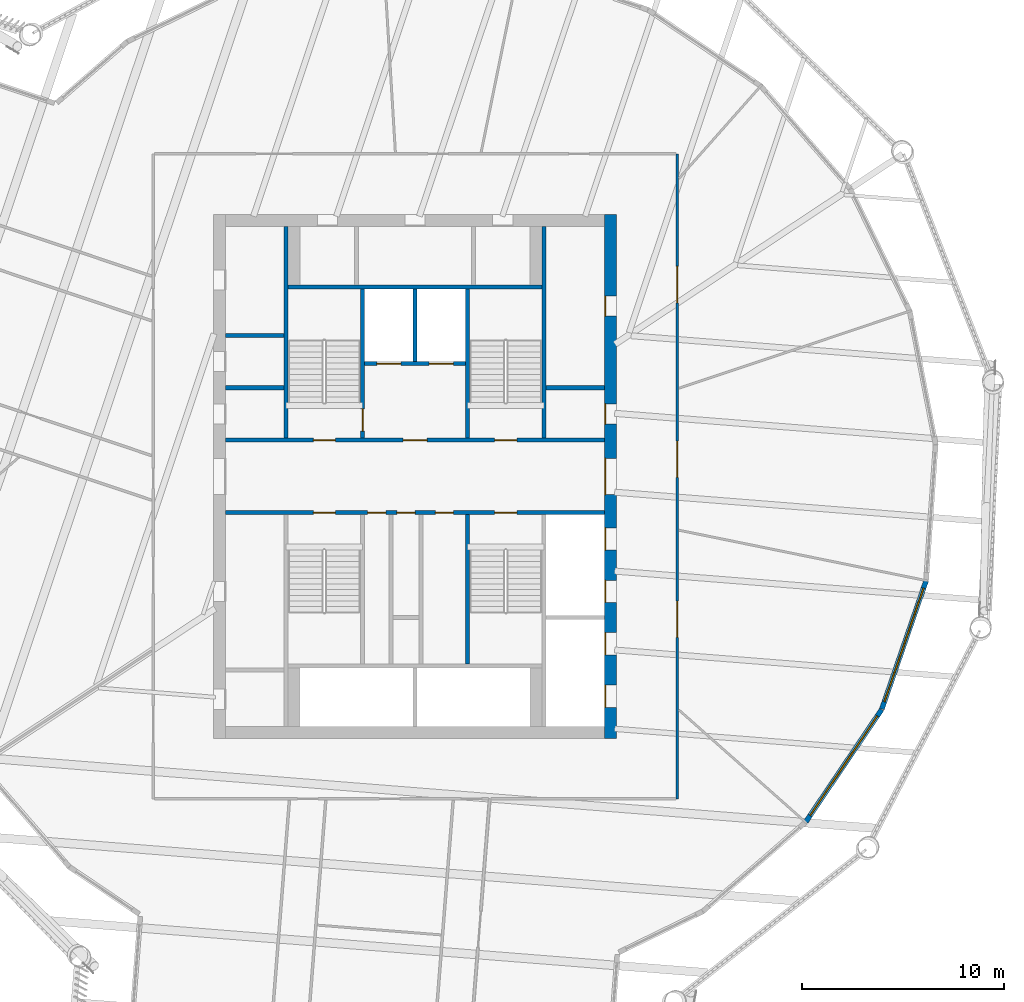
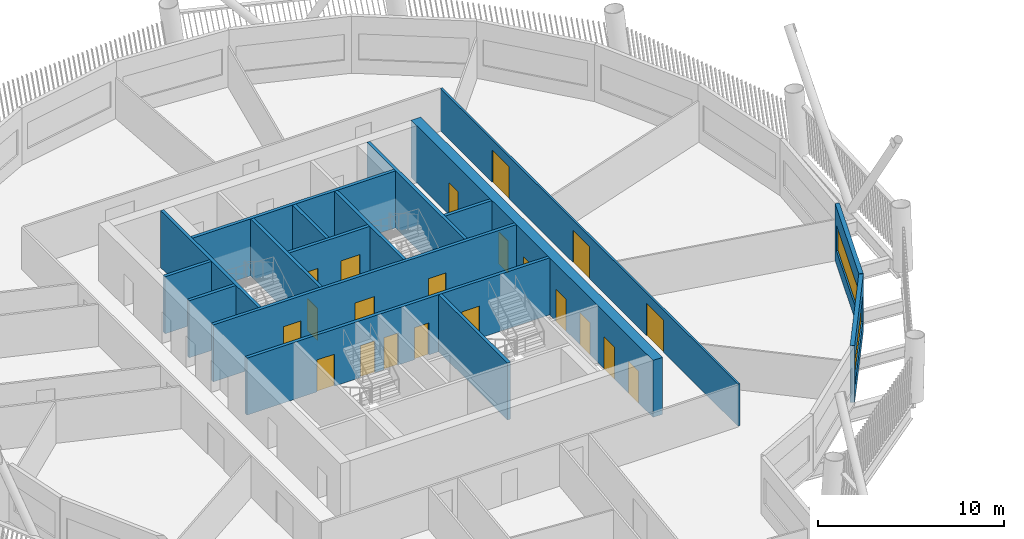
# One storey, part 5 of 21: 21 doors, 17 walls, 2 windows, 23 openings.
"""IFC4 building model written with IfcOpenShell, lengths in metres."""

import ifcopenshell
import ifcopenshell.guid

model = None  # the IFC model being written
_history = None  # IfcOwnerHistory: only IFC2X3 demands one
_inside = {}  # id of a spatial element -> (the spatial element, [elements in it])
_under = {}  # id of a project, library or spatial element -> (it, [spatial elements below it])
_declared = {}  # id of a project -> (the project, [libraries it declares])
_typed = {}  # id of a type object -> (the type object, [elements of that type])
_made_of = {}  # id of a material, layer set ... -> (it, [elements and type objects made of it])


def new_model(schema):
    """Start an empty IFC model of exactly this schema.

    Asked for "IFC4X3", IfcOpenShell would pick the latest addendum, in which some entities
    have other attributes; the version numbers below select the first issue.
    IFC2X3 requires an IfcOwnerHistory on every rooted entity: one is made here for all.
    """
    global model, _history
    if schema == "IFC4X3":
        model = ifcopenshell.file(schema_version=(4, 3, 0, 0))
    else:
        model = ifcopenshell.file(schema=schema)
    _inside.clear()
    _under.clear()
    _declared.clear()
    _typed.clear()
    _made_of.clear()
    _history = None
    if model.schema == "IFC2X3":
        org = make("IfcOrganization", Name="unknown")
        user = make(
            "IfcPersonAndOrganization",
            ThePerson=make("IfcPerson", FamilyName="unknown"),
            TheOrganization=org,
        )
        app = make(
            "IfcApplication",
            ApplicationDeveloper=org,
            Version="unknown",
            ApplicationFullName="unknown",
            ApplicationIdentifier="unknown",
        )
        _history = make(
            "IfcOwnerHistory",
            OwningUser=user,
            OwningApplication=app,
            ChangeAction="ADDED",
            CreationDate=0,
        )
    return model


def make(cls, **values):
    """One entity of the class cls with the attributes given. An attribute that is None is left unset."""
    return model.create_entity(
        cls, **{name: value for name, value in values.items() if value is not None}
    )


def rooted(cls, **values):
    """An entity with a GlobalId (a new one), such as an element, a storey or a relation."""
    return make(cls, GlobalId=ifcopenshell.guid.new(), OwnerHistory=_history, **values)


def si_unit(unit_type, name, prefix=None):
    """IfcSIUnit, for example si_unit("LENGTHUNIT", "METRE", prefix="MILLI")."""
    return make("IfcSIUnit", UnitType=unit_type, Prefix=prefix, Name=name)


def assignment(units):
    """IfcUnitAssignment: the units of a project."""
    return None if units is None else make("IfcUnitAssignment", Units=units)


def point(xyz):
    """IfcCartesianPoint."""
    return None if xyz is None else make("IfcCartesianPoint", Coordinates=xyz)


def direction(xyz):
    """IfcDirection."""
    return None if xyz is None else make("IfcDirection", DirectionRatios=xyz)


def frame(location, z_axis=None, x_axis=None):
    """IfcAxis2Placement3D, a coordinate frame: its origin and axes. An axis left out is left unset."""
    return make(
        "IfcAxis2Placement3D",
        Location=point(location),
        Axis=direction(z_axis),
        RefDirection=direction(x_axis),
    )


def frame_2d(location, x_axis=None):
    """IfcAxis2Placement2D, a coordinate frame in the plane: its origin and x axis."""
    return make(
        "IfcAxis2Placement2D", Location=point(location), RefDirection=direction(x_axis)
    )


def origin():
    """The frame at (0, 0, 0) with its axes left unset."""
    return frame((0.0, 0.0, 0.0))


def place(relative_to, where):
    """IfcLocalPlacement: puts the frame where relative to a parent placement (None: the world)."""
    return make(
        "IfcLocalPlacement", PlacementRelTo=relative_to, RelativePlacement=where
    )


def context(
    kind, dimensions, precision=None, world=None, true_north=None, identifier=None
):
    """IfcGeometricRepresentationContext, for example the 3D "Model" context."""
    return make(
        "IfcGeometricRepresentationContext",
        ContextIdentifier=identifier,
        ContextType=kind,
        CoordinateSpaceDimension=dimensions,
        Precision=precision,
        WorldCoordinateSystem=world,
        TrueNorth=true_north,
    )


def subcontext(parent, identifier, kind, view, scale=None):
    """IfcGeometricRepresentationSubContext, for example "Body" below "Model"."""
    return make(
        "IfcGeometricRepresentationSubContext",
        ContextIdentifier=identifier,
        ContextType=kind,
        ParentContext=parent,
        TargetScale=scale,
        TargetView=view,
    )


def project(units=None, contexts=None):
    """IfcProject with its units and contexts."""
    return rooted(
        "IfcProject",
        Name="project",
        RepresentationContexts=contexts,
        UnitsInContext=assignment(units),
    )


def spatial(cls, under=None, at=None, **own):
    """A site, building, storey or space (cls), placed at a placement, below another one or the project."""
    s = rooted(cls, ObjectPlacement=at, **own)
    if under is not None:
        _under.setdefault(under.id(), (under, []))[1].append(s)
    return s


def profile(cls, at=None, kind="AREA", **sizes):
    """A parametric profile (cls). Its sizes go by their IFC names, for example OverallWidth=200.0."""
    return make(cls, ProfileType=kind, Position=at, **sizes)


def rectangle(**sizes):
    """IfcRectangleProfileDef."""
    return profile("IfcRectangleProfileDef", **sizes)


def extrude(swept, where, along, depth):
    """IfcExtrudedAreaSolid: the profile swept, set in the frame where, extruded along a direction by depth."""
    return make(
        "IfcExtrudedAreaSolid",
        SweptArea=swept,
        Position=where,
        ExtrudedDirection=direction(along),
        Depth=depth,
    )


def shape(context_of_items, identifier, shape_type, items):
    """IfcShapeRepresentation: the items that make up one representation, for example the "Body"."""
    return make(
        "IfcShapeRepresentation",
        ContextOfItems=context_of_items,
        RepresentationIdentifier=identifier,
        RepresentationType=shape_type,
        Items=items,
    )


def material(Name=None, Category=None):
    """IfcMaterial."""
    return make("IfcMaterial", Name=Name, Category=Category)


def layer(
    of_material, thickness, ventilated=None, Name=None, Category=None, Priority=None
):
    """IfcMaterialLayer: one layer of a wall or slab, of a material (None: an air gap)."""
    return make(
        "IfcMaterialLayer",
        Material=of_material,
        LayerThickness=thickness,
        IsVentilated=ventilated,
        Name=Name,
        Category=Category,
        Priority=Priority,
    )


def layer_set(layers, Name=None):
    """IfcMaterialLayerSet."""
    return make("IfcMaterialLayerSet", MaterialLayers=layers, LayerSetName=Name)


def made_of(thing, what):
    """Note that an element or type object is made of a material, layer set ...; save() writes the relation."""
    if what is not None:
        _made_of.setdefault(what.id(), (what, []))[1].append(thing)
    return thing


def type_object(cls, material=None, **own):
    """A type object (cls), such as IfcWallType, which elements share."""
    return made_of(rooted(cls, **own), material)


def element(
    cls,
    number,
    at=None,
    inside=None,
    cuts=None,
    type_object=None,
    material=None,
    context=None,
    identifier="Body",
    shape_type=None,
    held_by="IfcProductDefinitionShape",
    body=None,
    shapes=None,
    **own,
):
    """One element of the class cls, such as IfcWall. Its Tag is "e" and its number.

    at: its placement. inside: the storey or other place that contains it. cuts: it is an
    opening in that element (IfcRelVoidsElement). A single representation is given by context,
    identifier, shape_type and body (its items); several are given by shapes. held_by: the class
    of the entity that holds the representations. save() writes the other relations.
    """
    e = rooted(cls, Tag="e%d" % number, ObjectPlacement=at, **own)
    if body is not None:
        shapes = [shape(context, identifier, shape_type, body)]
    if shapes is not None:
        e.Representation = make(held_by, Representations=shapes)
    if inside is not None:
        _inside.setdefault(inside.id(), (inside, []))[1].append(e)
    if cuts is not None:
        rooted(
            "IfcRelVoidsElement", RelatingBuildingElement=cuts, RelatedOpeningElement=e
        )
    if type_object is not None:
        _typed.setdefault(type_object.id(), (type_object, []))[1].append(e)
    return made_of(e, material)


def fill(opening, filler):
    """IfcRelFillsElement: the door or window that sits in an opening."""
    return rooted(
        "IfcRelFillsElement",
        RelatingOpeningElement=opening,
        RelatedBuildingElement=filler,
    )


def aggregate(whole, parts):
    """IfcRelAggregates: a whole, such as a stair, and the parts it consists of."""
    return rooted("IfcRelAggregates", RelatingObject=whole, RelatedObjects=parts)


def save(model, path):
    """Write the relations noted so far, then the file.

    IfcRelAggregates (storeys below a building ...), IfcRelContainedInSpatialStructure (elements
    in a storey), IfcRelDefinesByType, IfcRelAssociatesMaterial and IfcRelDeclares: one each for
    every whole, place, type object, material and project.
    """
    for whole, parts in _under.values():
        aggregate(whole, parts)
    for where, things in _inside.values():
        rooted(
            "IfcRelContainedInSpatialStructure",
            RelatedElements=things,
            RelatingStructure=where,
        )
    for kind, things in _typed.values():
        rooted("IfcRelDefinesByType", RelatedObjects=things, RelatingType=kind)
    for what, things in _made_of.values():
        rooted("IfcRelAssociatesMaterial", RelatedObjects=things, RelatingMaterial=what)
    for by, libraries in _declared.values():
        rooted("IfcRelDeclares", RelatingContext=by, RelatedDefinitions=libraries)
    model.write(path)


model = new_model("IFC4")

# Units and contexts
model_context = context("Model", 3, precision=1e-05, world=origin(), true_north=direction((0.0, 1.0)))
body_context = subcontext(model_context, "Body", "Model", "MODEL_VIEW")
ifc_project = project(units=[si_unit("LENGTHUNIT", "METRE"), si_unit("AREAUNIT", "SQUARE_METRE"), si_unit("VOLUMEUNIT", "CUBIC_METRE"), si_unit("PLANEANGLEUNIT", "RADIAN"), si_unit("MASSUNIT", "GRAM", prefix="KILO")], contexts=[model_context])

# Site, building, storey
site_placement = place(None, origin())
site = spatial("IfcSite", under=ifc_project, at=site_placement, CompositionType="ELEMENT")
building_placement = place(site_placement, origin())
building = spatial("IfcBuilding", under=site, at=building_placement, Name="Tarsis Ring Headquarters", CompositionType="ELEMENT")
storey_placement = place(building_placement, frame((0.0, 0.0, 208.199951171875)))
storey = spatial("IfcBuildingStorey", under=building, at=storey_placement, Name="L48", CompositionType="ELEMENT", Elevation=208.199951171875)

# Walls
ifc_material_1 = material(Name="Blockwork", Category="masonry")
ifc_layer_1 = layer(ifc_material_1, 0.199951171875)
ifc_layer_set_1 = layer_set([ifc_layer_1], Name="Core blockwork wall 200")
wall_type_1 = type_object("IfcWallType", Name="Core blockwork wall 200", PredefinedType="PARTITIONING", material=ifc_layer_set_1)
for number, where, z_axis, x_axis, name in (
    (1, (-9.39990234375, 4.39990234375, 0.0), (0.0, 0.0, 1.0), (1.0, 0.0, 0.0), "Core partition WD5"),
    (2, (-9.39990234375, 7.0, 0.0), (0.0, 0.0, 1.0), (1.0, 0.0, 0.0), "Core partition WD6"),
    (3, (6.5, 4.39990234375, 0.0), (0.0, 0.0, 1.0), (1.0, 0.0, 0.0), "Core partition ED5"),
):
    element("IfcWall", number, at=place(storey_placement, frame(where, z_axis=z_axis, x_axis=x_axis)), inside=storey, type_object=wall_type_1, Name=name, PredefinedType="PARTITIONING", context=body_context, shape_type="SweptSolid", body=[
        extrude(rectangle(XDim=2.89990234375, YDim=0.199951171875, at=frame_2d((1.449951171875, 0.0))), origin(), (0.0, 0.0, 1.0), 3.739990234375),
    ])

# Wall, openings, doors
ifc_material_2 = material(Name="Concrete C50/60", Category="concrete")
ifc_layer_2 = layer(ifc_material_2, 0.60009765625)
ifc_layer_set_2 = layer_set([ifc_layer_2], Name="Core wall 600 C50/60")
wall_type_2 = type_object("IfcWallType", Name="Core wall 600 C50/60", PredefinedType="SHEAR", material=ifc_layer_set_2)
wall_1_placement = place(storey_placement, frame((9.699951171875, -13.0, 0.0), z_axis=(0.0, 0.0, 1.0), x_axis=(0.0, 1.0, 0.0)))
wall_1 = element("IfcWall", 4, at=wall_1_placement, inside=storey, type_object=wall_type_2, Name="Core wall OE", PredefinedType="SHEAR", context=body_context, shape_type="SweptSolid", body=[
    extrude(rectangle(XDim=26.0, YDim=0.60009765625, at=frame_2d((13.0, 0.0))), origin(), (0.0, 0.0, 1.0), 3.739990234375),
])
opening_1_placement = place(wall_1_placement, frame((1.550048828125, 0.0, 0.0)))
opening_1 = element("IfcOpeningElement", 5, at=opening_1_placement, cuts=wall_1, Name="Opening LD-MR1", PredefinedType="OPENING", context=body_context, shape_type="SweptSolid", body=[
    extrude(rectangle(XDim=1.10009765625, YDim=2.10009765625, at=frame_2d((0.550048828125, 1.050048828125))), frame((0.0, 0.31005859375, 0.0), z_axis=(0.0, -1.0, 0.0), x_axis=(1.0, 0.0, 0.0)), (0.0, 0.0, 1.0), 0.6201171875),
])
opening_2_placement = place(wall_1_placement, frame((4.14990234375, 0.0, 0.0)))
opening_2 = element("IfcOpeningElement", 6, at=opening_2_placement, cuts=wall_1, Name="Opening LD-MR2", PredefinedType="OPENING", context=body_context, shape_type="SweptSolid", body=[
    extrude(rectangle(XDim=1.10009765625, YDim=2.10009765625, at=frame_2d((0.550048828125, 1.050048828125))), frame((0.0, 0.31005859375, 0.0), z_axis=(0.0, -1.0, 0.0), x_axis=(1.0, 0.0, 0.0)), (0.0, 0.0, 1.0), 0.6201171875),
])
opening_3_placement = place(wall_1_placement, frame((6.75, 0.0, 0.0)))
opening_3 = element("IfcOpeningElement", 7, at=opening_3_placement, cuts=wall_1, Name="Opening LD-MR3", PredefinedType="OPENING", context=body_context, shape_type="SweptSolid", body=[
    extrude(rectangle(XDim=1.10009765625, YDim=2.10009765625, at=frame_2d((0.550048828125, 1.050048828125))), frame((0.0, 0.31005859375, 0.0), z_axis=(0.0, -1.0, 0.0), x_axis=(1.0, 0.0, 0.0)), (0.0, 0.0, 1.0), 0.6201171875),
])
opening_4_placement = place(wall_1_placement, frame((9.35009765625, 0.0, 0.0)))
opening_4 = element("IfcOpeningElement", 8, at=opening_4_placement, cuts=wall_1, Name="Opening LD-MR4", PredefinedType="OPENING", context=body_context, shape_type="SweptSolid", body=[
    extrude(rectangle(XDim=1.10009765625, YDim=2.10009765625, at=frame_2d((0.550048828125, 1.050048828125))), frame((0.0, 0.31005859375, 0.0), z_axis=(0.0, -1.0, 0.0), x_axis=(1.0, 0.0, 0.0)), (0.0, 0.0, 1.0), 0.6201171875),
])
opening_5_placement = place(wall_1_placement, frame((12.10009765625, 0.0, 0.0)))
opening_5 = element("IfcOpeningElement", 9, at=opening_5_placement, cuts=wall_1, Name="Opening L48-C11", PredefinedType="OPENING", context=body_context, shape_type="SweptSolid", body=[
    extrude(rectangle(XDim=1.800048828125, YDim=2.10009765625, at=frame_2d((0.89990234375, 1.050048828125))), frame((0.0, 0.31005859375, 0.0), z_axis=(0.0, -1.0, 0.0), x_axis=(1.0, 0.0, 0.0)), (0.0, 0.0, 1.0), 0.6201171875),
])
opening_6_placement = place(wall_1_placement, frame((15.60009765625, 0.0, 0.0)))
opening_6 = element("IfcOpeningElement", 10, at=opening_6_placement, cuts=wall_1, Name="Opening L48-C12", PredefinedType="OPENING", context=body_context, shape_type="SweptSolid", body=[
    extrude(rectangle(XDim=1.0, YDim=2.10009765625, at=frame_2d((0.5, 1.050048828125))), frame((0.0, 0.31005859375, 0.0), z_axis=(0.0, -1.0, 0.0), x_axis=(1.0, 0.0, 0.0)), (0.0, 0.0, 1.0), 0.6201171875),
])
opening_7_placement = place(wall_1_placement, frame((20.949951171875, 0.0, 0.0)))
opening_7 = element("IfcOpeningElement", 11, at=opening_7_placement, cuts=wall_1, Name="Opening L48-C13", PredefinedType="OPENING", context=body_context, shape_type="SweptSolid", body=[
    extrude(rectangle(XDim=1.0, YDim=2.10009765625, at=frame_2d((0.5, 1.050048828125))), frame((0.0, 0.31005859375, 0.0), z_axis=(0.0, -1.0, 0.0), x_axis=(1.0, 0.0, 0.0)), (0.0, 0.0, 1.0), 0.6201171875),
])
ifc_material_3 = material(Name="Steel S355", Category="steel")
door_type_1 = type_object("IfcDoorType", Name="Core entry door 1800x2100", OperationType="DOUBLE_DOOR_SINGLE_SWING", PredefinedType="DOOR", material=ifc_material_3)
door_1_placement = place(opening_5_placement, origin())
door_1 = element("IfcDoor", 12, at=door_1_placement, inside=storey, type_object=door_type_1, Name="Core entry door L48", OperationType="DOUBLE_DOOR_SINGLE_SWING", OverallHeight=2.10009765625, OverallWidth=1.800048828125, PredefinedType="DOOR", context=body_context, shape_type="SweptSolid", body=[
    extrude(rectangle(XDim=1.800048828125, YDim=2.10009765625, at=frame_2d((0.89990234375, 1.050048828125))), frame((0.0, 0.2998046875, 0.0), z_axis=(0.0, -1.0, 0.0), x_axis=(1.0, 0.0, 0.0)), (0.0, 0.0, 1.0), 0.050048828125),
])
fill(opening_5, door_1)
door_type_2 = type_object("IfcDoorType", Name="Core room door 1000x2100", OperationType="SINGLE_SWING_LEFT", PredefinedType="DOOR", material=ifc_material_3)
door_2_placement = place(opening_6_placement, origin())
door_2 = element("IfcDoor", 13, at=door_2_placement, inside=storey, type_object=door_type_2, Name="Core room door L48", OperationType="SINGLE_SWING_LEFT", OverallHeight=2.10009765625, OverallWidth=1.0, PredefinedType="DOOR", context=body_context, shape_type="SweptSolid", body=[
    extrude(rectangle(XDim=1.0, YDim=2.10009765625, at=frame_2d((0.5, 1.050048828125))), frame((0.0, 0.2998046875, 0.0), z_axis=(0.0, -1.0, 0.0), x_axis=(1.0, 0.0, 0.0)), (0.0, 0.0, 1.0), 0.050048828125),
])
fill(opening_6, door_2)
door_3_placement = place(opening_7_placement, origin())
door_3 = element("IfcDoor", 14, at=door_3_placement, inside=storey, type_object=door_type_2, Name="Core room door L48", OperationType="SINGLE_SWING_LEFT", OverallHeight=2.10009765625, OverallWidth=1.0, PredefinedType="DOOR", context=body_context, shape_type="SweptSolid", body=[
    extrude(rectangle(XDim=1.0, YDim=2.10009765625, at=frame_2d((0.5, 1.050048828125))), frame((0.0, 0.2998046875, 0.0), z_axis=(0.0, -1.0, 0.0), x_axis=(1.0, 0.0, 0.0)), (0.0, 0.0, 1.0), 0.050048828125),
])
fill(opening_7, door_3)
door_type_3 = type_object("IfcDoorType", Name="Landing door 1100x2100", OperationType="SLIDING_TO_LEFT", PredefinedType="DOOR", material=ifc_material_3)
door_4_placement = place(opening_1_placement, origin())
door_4 = element("IfcDoor", 15, at=door_4_placement, inside=storey, type_object=door_type_3, Name="Landing door MR1 L48", OperationType="SLIDING_TO_LEFT", OverallHeight=2.10009765625, OverallWidth=1.10009765625, PredefinedType="DOOR", context=body_context, shape_type="SweptSolid", body=[
    extrude(rectangle(XDim=1.10009765625, YDim=2.10009765625, at=frame_2d((0.550048828125, 1.050048828125))), frame((0.0, 0.2998046875, 0.0), z_axis=(0.0, -1.0, 0.0), x_axis=(1.0, 0.0, 0.0)), (0.0, 0.0, 1.0), 0.050048828125),
])
fill(opening_1, door_4)
door_5_placement = place(opening_2_placement, origin())
door_5 = element("IfcDoor", 16, at=door_5_placement, inside=storey, type_object=door_type_3, Name="Landing door MR2 L48", OperationType="SLIDING_TO_LEFT", OverallHeight=2.10009765625, OverallWidth=1.10009765625, PredefinedType="DOOR", context=body_context, shape_type="SweptSolid", body=[
    extrude(rectangle(XDim=1.10009765625, YDim=2.10009765625, at=frame_2d((0.550048828125, 1.050048828125))), frame((0.0, 0.2998046875, 0.0), z_axis=(0.0, -1.0, 0.0), x_axis=(1.0, 0.0, 0.0)), (0.0, 0.0, 1.0), 0.050048828125),
])
fill(opening_2, door_5)
door_6_placement = place(opening_3_placement, origin())
door_6 = element("IfcDoor", 17, at=door_6_placement, inside=storey, type_object=door_type_3, Name="Landing door MR3 L48", OperationType="SLIDING_TO_LEFT", OverallHeight=2.10009765625, OverallWidth=1.10009765625, PredefinedType="DOOR", context=body_context, shape_type="SweptSolid", body=[
    extrude(rectangle(XDim=1.10009765625, YDim=2.10009765625, at=frame_2d((0.550048828125, 1.050048828125))), frame((0.0, 0.2998046875, 0.0), z_axis=(0.0, -1.0, 0.0), x_axis=(1.0, 0.0, 0.0)), (0.0, 0.0, 1.0), 0.050048828125),
])
fill(opening_3, door_6)
door_7_placement = place(opening_4_placement, origin())
door_7 = element("IfcDoor", 18, at=door_7_placement, inside=storey, type_object=door_type_3, Name="Landing door MR4 L48", OperationType="SLIDING_TO_LEFT", OverallHeight=2.10009765625, OverallWidth=1.10009765625, PredefinedType="DOOR", context=body_context, shape_type="SweptSolid", body=[
    extrude(rectangle(XDim=1.10009765625, YDim=2.10009765625, at=frame_2d((0.550048828125, 1.050048828125))), frame((0.0, 0.2998046875, 0.0), z_axis=(0.0, -1.0, 0.0), x_axis=(1.0, 0.0, 0.0)), (0.0, 0.0, 1.0), 0.050048828125),
])
fill(opening_4, door_7)

ifc_material_4 = material(Name="Gypsum board on steel studs", Category="steel")
ifc_layer_3 = layer(ifc_material_4, 0.125)
ifc_layer_set_3 = layer_set([ifc_layer_3], Name="FL partition 125 EI 60 H2770")
wall_type_3 = type_object("IfcWallType", Name="FL partition 125 EI 60 H2770", PredefinedType="PARTITIONING", material=ifc_layer_set_3)
wall_2_placement = place(storey_placement, frame((13.0, -16.0, 0.0), z_axis=(0.0, 0.0, 1.0), x_axis=(0.0, 1.0, 0.0)))
wall_2 = element("IfcWall", 19, at=wall_2_placement, inside=storey, type_object=wall_type_3, Name="Partition PW1", PredefinedType="PARTITIONING", context=body_context, shape_type="SweptSolid", body=[
    extrude(rectangle(XDim=32.0, YDim=0.125, at=frame_2d((16.0, 0.0))), origin(), (0.0, 0.0, 1.0), 2.77001953125),
])
opening_8_placement = place(wall_2_placement, frame((24.614013671875, 0.0, 0.0)))
opening_8 = element("IfcOpeningElement", 20, at=opening_8_placement, cuts=wall_2, Name="Opening D48.06", PredefinedType="OPENING", context=body_context, shape_type="SweptSolid", body=[
    extrude(rectangle(XDim=1.800048828125, YDim=2.10009765625, at=frame_2d((0.89990234375, 1.050048828125))), frame((0.0, 0.072509765625, 0.0), z_axis=(0.0, -1.0, 0.0), x_axis=(1.0, 0.0, 0.0)), (0.0, 0.0, 1.0), 0.14501953125),
])
opening_9_placement = place(wall_2_placement, frame((15.947509765625, 0.0, 0.0)))
opening_9 = element("IfcOpeningElement", 21, at=opening_9_placement, cuts=wall_2, Name="Opening D48.07", PredefinedType="OPENING", context=body_context, shape_type="SweptSolid", body=[
    extrude(rectangle(XDim=1.800048828125, YDim=2.10009765625, at=frame_2d((0.89990234375, 1.050048828125))), frame((0.0, 0.072509765625, 0.0), z_axis=(0.0, -1.0, 0.0), x_axis=(1.0, 0.0, 0.0)), (0.0, 0.0, 1.0), 0.14501953125),
])
opening_10_placement = place(wall_2_placement, frame((8.0205078125, 0.0, 0.0)))
opening_10 = element("IfcOpeningElement", 22, at=opening_10_placement, cuts=wall_2, Name="Opening D48.08", PredefinedType="OPENING", context=body_context, shape_type="SweptSolid", body=[
    extrude(rectangle(XDim=1.800048828125, YDim=2.10009765625, at=frame_2d((0.89990234375, 1.050048828125))), frame((0.0, 0.072509765625, 0.0), z_axis=(0.0, -1.0, 0.0), x_axis=(1.0, 0.0, 0.0)), (0.0, 0.0, 1.0), 0.14501953125),
])
ifc_material_5 = material(Name="Fire-rated timber door leaf in steel frame", Category="steel")
door_type_4 = type_object("IfcDoorType", Name="FL door FD60-1800", OperationType="DOUBLE_DOOR_SINGLE_SWING", PredefinedType="DOOR", material=ifc_material_5)
door_8_placement = place(opening_8_placement, origin())
door_8 = element("IfcDoor", 23, at=door_8_placement, inside=storey, type_object=door_type_4, Name="Door D48.06", OperationType="DOUBLE_DOOR_SINGLE_SWING", OverallHeight=2.10009765625, OverallWidth=1.800048828125, PredefinedType="DOOR", context=body_context, shape_type="SweptSolid", body=[
    extrude(rectangle(XDim=1.800048828125, YDim=2.10009765625, at=frame_2d((0.89990234375, 1.050048828125))), frame((0.0, 0.02490234375, 0.0), z_axis=(0.0, -1.0, 0.0), x_axis=(1.0, 0.0, 0.0)), (0.0, 0.0, 1.0), 0.050048828125),
])
fill(opening_8, door_8)
door_9_placement = place(opening_9_placement, origin())
door_9 = element("IfcDoor", 24, at=door_9_placement, inside=storey, type_object=door_type_4, Name="Door D48.07", OperationType="DOUBLE_DOOR_SINGLE_SWING", OverallHeight=2.10009765625, OverallWidth=1.800048828125, PredefinedType="DOOR", context=body_context, shape_type="SweptSolid", body=[
    extrude(rectangle(XDim=1.800048828125, YDim=2.10009765625, at=frame_2d((0.89990234375, 1.050048828125))), frame((0.0, 0.02490234375, 0.0), z_axis=(0.0, -1.0, 0.0), x_axis=(1.0, 0.0, 0.0)), (0.0, 0.0, 1.0), 0.050048828125),
])
fill(opening_9, door_9)
door_10_placement = place(opening_10_placement, origin())
door_10 = element("IfcDoor", 25, at=door_10_placement, inside=storey, type_object=door_type_4, Name="Door D48.08", OperationType="DOUBLE_DOOR_SINGLE_SWING", OverallHeight=2.10009765625, OverallWidth=1.800048828125, PredefinedType="DOOR", context=body_context, shape_type="SweptSolid", body=[
    extrude(rectangle(XDim=1.800048828125, YDim=2.10009765625, at=frame_2d((0.89990234375, 1.050048828125))), frame((0.0, 0.02490234375, 0.0), z_axis=(0.0, -1.0, 0.0), x_axis=(1.0, 0.0, 0.0)), (0.0, 0.0, 1.0), 0.050048828125),
])
fill(opening_10, door_10)

# Wall, opening, window
ifc_material_6 = material(Name="Terracotta clad insulated panel wall", Category="masonry")
ifc_layer_4 = layer(ifc_material_6, 0.25)
ifc_layer_set_4 = layer_set([ifc_layer_4], Name="Facade wall terracotta panel 250")
wall_type_4 = type_object("IfcWallType", Name="Facade wall terracotta panel 250", PredefinedType="STANDARD", material=ifc_layer_set_4)
wall_3_placement = place(storey_placement, frame((19.381591796875, -17.1376953125, 0.0), z_axis=(0.0, 0.0, 1.0), x_axis=(0.559502174156, 0.828828882891, 0.0)))
wall_3 = element("IfcWall", 26, at=wall_3_placement, inside=storey, type_object=wall_type_4, Name="External wall L48-19", PredefinedType="STANDARD", context=body_context, shape_type="SweptSolid", body=[
    extrude(rectangle(XDim=6.7216796875, YDim=0.25, at=frame_2d((3.36083984375, 0.0))), origin(), (0.0, 0.0, 1.0), 3.739990234375),
])
opening_11_placement = place(wall_3_placement, frame((0.3857421875, 0.0, 0.89990234375)))
opening_11 = element("IfcOpeningElement", 27, at=opening_11_placement, cuts=wall_3, Name="Opening WN07", PredefinedType="OPENING", context=body_context, shape_type="SweptSolid", body=[
    extrude(rectangle(XDim=5.949951171875, YDim=1.699951171875, at=frame_2d((2.97509765625, 0.85009765625))), frame((0.0, 0.135009765625, 0.0), z_axis=(0.0, -1.0, 0.0), x_axis=(1.0, 0.0, 0.0)), (0.0, 0.0, 1.0), 0.27001953125),
])
ifc_material_7 = material(Name="Aluminium framed double glazing", Category="aluminium")
window_type = type_object("IfcWindowType", Name="Facade window 5950 x 1700", PartitioningType="SINGLE_PANEL", PredefinedType="WINDOW", material=ifc_material_7)
window_1_placement = place(opening_11_placement, origin())
window_1 = element("IfcWindow", 28, at=window_1_placement, inside=storey, type_object=window_type, Name="Window L48-19.1", OverallHeight=1.699951171875, OverallWidth=5.949951171875, PartitioningType="SINGLE_PANEL", PredefinedType="WINDOW", context=body_context, shape_type="SweptSolid", body=[
    extrude(rectangle(XDim=5.949951171875, YDim=1.699951171875, at=frame_2d((2.97509765625, 0.85009765625))), frame((0.0, 0.030029296875, 0.0), z_axis=(0.0, -1.0, 0.0), x_axis=(1.0, 0.0, 0.0)), (0.0, 0.0, 1.0), 0.06005859375),
])
fill(opening_11, window_1)

wall_4_placement = place(storey_placement, frame((23.15673828125, -11.537353515625, 0.0), z_axis=(0.0, 0.0, 1.0), x_axis=(0.32592016076, 0.945397296807, 0.0)))
wall_4 = element("IfcWall", 29, at=wall_4_placement, inside=storey, type_object=wall_type_4, Name="External wall L48-20", PredefinedType="STANDARD", context=body_context, shape_type="SweptSolid", body=[
    extrude(rectangle(XDim=6.721435546875, YDim=0.25, at=frame_2d((3.36083984375, 0.0))), origin(), (0.0, 0.0, 1.0), 3.739990234375),
])
opening_12_placement = place(wall_4_placement, frame((0.3857421875, 0.0, 0.89990234375)))
opening_12 = element("IfcOpeningElement", 30, at=opening_12_placement, cuts=wall_4, Name="Opening WN07", PredefinedType="OPENING", context=body_context, shape_type="SweptSolid", body=[
    extrude(rectangle(XDim=5.949951171875, YDim=1.699951171875, at=frame_2d((2.97509765625, 0.85009765625))), frame((0.0, 0.135009765625, 0.0), z_axis=(0.0, -1.0, 0.0), x_axis=(1.0, 0.0, 0.0)), (0.0, 0.0, 1.0), 0.27001953125),
])
window_2_placement = place(opening_12_placement, origin())
window_2 = element("IfcWindow", 31, at=window_2_placement, inside=storey, type_object=window_type, Name="Window L48-20.1", OverallHeight=1.699951171875, OverallWidth=5.949951171875, PartitioningType="SINGLE_PANEL", PredefinedType="WINDOW", context=body_context, shape_type="SweptSolid", body=[
    extrude(rectangle(XDim=5.949951171875, YDim=1.699951171875, at=frame_2d((2.97509765625, 0.85009765625))), frame((0.0, 0.030029296875, 0.0), z_axis=(0.0, -1.0, 0.0), x_axis=(1.0, 0.0, 0.0)), (0.0, 0.0, 1.0), 0.06005859375),
])
fill(opening_12, window_2)

# Wall, openings, doors
ifc_material_8 = material(Name="Concrete C32/40", Category="concrete")
ifc_layer_5 = layer(ifc_material_8, 0.199951171875)
ifc_layer_set_5 = layer_set([ifc_layer_5], Name="Shaft wall 200 C32/40")
wall_type_5 = type_object("IfcWallType", Name="Shaft wall 200 C32/40", PredefinedType="SOLIDWALL", material=ifc_layer_set_5)
wall_5_placement = place(storey_placement, frame((-9.39990234375, 1.800048828125, 0.0), z_axis=(0.0, 0.0, 1.0), x_axis=(1.0, 0.0, 0.0)))
wall_5 = element("IfcWall", 32, at=wall_5_placement, inside=storey, type_object=wall_type_5, Name="Core shaft wall CN", PredefinedType="SOLIDWALL", context=body_context, shape_type="SweptSolid", body=[
    extrude(rectangle(XDim=18.7998046875, YDim=0.199951171875, at=frame_2d((9.39990234375, 0.0))), origin(), (0.0, 0.0, 1.0), 3.739990234375),
])
opening_13_placement = place(wall_5_placement, frame((4.35009765625, 0.0, 0.0)))
opening_13 = element("IfcOpeningElement", 33, at=opening_13_placement, cuts=wall_5, Name="Opening L48-C17", PredefinedType="OPENING", context=body_context, shape_type="SweptSolid", body=[
    extrude(rectangle(XDim=1.10009765625, YDim=2.10009765625, at=frame_2d((0.550048828125, 1.050048828125))), frame((0.0, 0.10986328125, 0.0), z_axis=(0.0, -1.0, 0.0), x_axis=(1.0, 0.0, 0.0)), (0.0, 0.0, 1.0), 0.219970703125),
])
opening_14_placement = place(wall_5_placement, frame((8.800048828125, 0.0, 0.0)))
opening_14 = element("IfcOpeningElement", 34, at=opening_14_placement, cuts=wall_5, Name="Opening L48-C18", PredefinedType="OPENING", context=body_context, shape_type="SweptSolid", body=[
    extrude(rectangle(XDim=1.199951171875, YDim=2.10009765625, at=frame_2d((0.60009765625, 1.050048828125))), frame((0.0, 0.10986328125, 0.0), z_axis=(0.0, -1.0, 0.0), x_axis=(1.0, 0.0, 0.0)), (0.0, 0.0, 1.0), 0.219970703125),
])
opening_15_placement = place(wall_5_placement, frame((13.35009765625, 0.0, 0.0)))
opening_15 = element("IfcOpeningElement", 35, at=opening_15_placement, cuts=wall_5, Name="Opening L48-C19", PredefinedType="OPENING", context=body_context, shape_type="SweptSolid", body=[
    extrude(rectangle(XDim=1.10009765625, YDim=2.10009765625, at=frame_2d((0.550048828125, 1.050048828125))), frame((0.0, 0.10986328125, 0.0), z_axis=(0.0, -1.0, 0.0), x_axis=(1.0, 0.0, 0.0)), (0.0, 0.0, 1.0), 0.219970703125),
])
door_type_5 = type_object("IfcDoorType", Name="Firefighting lobby door 1200x2100", OperationType="DOUBLE_DOOR_SINGLE_SWING", PredefinedType="DOOR", material=ifc_material_3)
door_11_placement = place(opening_14_placement, origin())
door_11 = element("IfcDoor", 36, at=door_11_placement, inside=storey, type_object=door_type_5, Name="Firefighting lobby door L48", OperationType="DOUBLE_DOOR_SINGLE_SWING", OverallHeight=2.10009765625, OverallWidth=1.199951171875, PredefinedType="DOOR", context=body_context, shape_type="SweptSolid", body=[
    extrude(rectangle(XDim=1.199951171875, YDim=2.10009765625, at=frame_2d((0.60009765625, 1.050048828125))), frame((0.0, 0.02490234375, 0.0), z_axis=(0.0, -1.0, 0.0), x_axis=(1.0, 0.0, 0.0)), (0.0, 0.0, 1.0), 0.050048828125),
])
fill(opening_14, door_11)
door_type_6 = type_object("IfcDoorType", Name="Stair door 1100x2100", OperationType="SINGLE_SWING_LEFT", PredefinedType="DOOR", material=ifc_material_3)
door_12_placement = place(opening_13_placement, origin())
door_12 = element("IfcDoor", 37, at=door_12_placement, inside=storey, type_object=door_type_6, Name="Stair door L48", OperationType="SINGLE_SWING_LEFT", OverallHeight=2.10009765625, OverallWidth=1.10009765625, PredefinedType="DOOR", context=body_context, shape_type="SweptSolid", body=[
    extrude(rectangle(XDim=1.10009765625, YDim=2.10009765625, at=frame_2d((0.550048828125, 1.050048828125))), frame((0.0, 0.02490234375, 0.0), z_axis=(0.0, -1.0, 0.0), x_axis=(1.0, 0.0, 0.0)), (0.0, 0.0, 1.0), 0.050048828125),
])
fill(opening_13, door_12)
door_13_placement = place(opening_15_placement, origin())
door_13 = element("IfcDoor", 38, at=door_13_placement, inside=storey, type_object=door_type_6, Name="Stair door L48", OperationType="SINGLE_SWING_LEFT", OverallHeight=2.10009765625, OverallWidth=1.10009765625, PredefinedType="DOOR", context=body_context, shape_type="SweptSolid", body=[
    extrude(rectangle(XDim=1.10009765625, YDim=2.10009765625, at=frame_2d((0.550048828125, 1.050048828125))), frame((0.0, 0.02490234375, 0.0), z_axis=(0.0, -1.0, 0.0), x_axis=(1.0, 0.0, 0.0)), (0.0, 0.0, 1.0), 0.050048828125),
])
fill(opening_15, door_13)

wall_6_placement = place(storey_placement, frame((-9.39990234375, -1.800048828125, 0.0), z_axis=(0.0, 0.0, 1.0), x_axis=(1.0, 0.0, 0.0)))
wall_6 = element("IfcWall", 39, at=wall_6_placement, inside=storey, type_object=wall_type_5, Name="Core shaft wall CS", PredefinedType="SOLIDWALL", context=body_context, shape_type="SweptSolid", body=[
    extrude(rectangle(XDim=18.7998046875, YDim=0.199951171875, at=frame_2d((9.39990234375, 0.0))), origin(), (0.0, 0.0, 1.0), 3.739990234375),
])
opening_16_placement = place(wall_6_placement, frame((4.35009765625, 0.0, 0.0)))
opening_16 = element("IfcOpeningElement", 40, at=opening_16_placement, cuts=wall_6, Name="Opening L48-C20", PredefinedType="OPENING", context=body_context, shape_type="SweptSolid", body=[
    extrude(rectangle(XDim=1.10009765625, YDim=2.10009765625, at=frame_2d((0.550048828125, 1.050048828125))), frame((0.0, 0.10986328125, 0.0), z_axis=(0.0, -1.0, 0.0), x_axis=(1.0, 0.0, 0.0)), (0.0, 0.0, 1.0), 0.219970703125),
])
opening_17_placement = place(wall_6_placement, frame((7.050048828125, 0.0, 0.0)))
opening_17 = element("IfcOpeningElement", 41, at=opening_17_placement, cuts=wall_6, Name="Opening L48-C21", PredefinedType="OPENING", context=body_context, shape_type="SweptSolid", body=[
    extrude(rectangle(XDim=0.89990234375, YDim=2.10009765625, at=frame_2d((0.449951171875, 1.050048828125))), frame((0.0, 0.10986328125, 0.0), z_axis=(0.0, -1.0, 0.0), x_axis=(1.0, 0.0, 0.0)), (0.0, 0.0, 1.0), 0.219970703125),
])
opening_18_placement = place(wall_6_placement, frame((8.5, 0.0, 0.0)))
opening_18 = element("IfcOpeningElement", 42, at=opening_18_placement, cuts=wall_6, Name="Opening L48-C22", PredefinedType="OPENING", context=body_context, shape_type="SweptSolid", body=[
    extrude(rectangle(XDim=0.89990234375, YDim=2.10009765625, at=frame_2d((0.449951171875, 1.050048828125))), frame((0.0, 0.10986328125, 0.0), z_axis=(0.0, -1.0, 0.0), x_axis=(1.0, 0.0, 0.0)), (0.0, 0.0, 1.0), 0.219970703125),
])
opening_19_placement = place(wall_6_placement, frame((10.39990234375, 0.0, 0.0)))
opening_19 = element("IfcOpeningElement", 43, at=opening_19_placement, cuts=wall_6, Name="Opening L48-C23", PredefinedType="OPENING", context=body_context, shape_type="SweptSolid", body=[
    extrude(rectangle(XDim=0.89990234375, YDim=2.10009765625, at=frame_2d((0.449951171875, 1.050048828125))), frame((0.0, 0.10986328125, 0.0), z_axis=(0.0, -1.0, 0.0), x_axis=(1.0, 0.0, 0.0)), (0.0, 0.0, 1.0), 0.219970703125),
])
opening_20_placement = place(wall_6_placement, frame((13.35009765625, 0.0, 0.0)))
opening_20 = element("IfcOpeningElement", 44, at=opening_20_placement, cuts=wall_6, Name="Opening L48-C24", PredefinedType="OPENING", context=body_context, shape_type="SweptSolid", body=[
    extrude(rectangle(XDim=1.10009765625, YDim=2.10009765625, at=frame_2d((0.550048828125, 1.050048828125))), frame((0.0, 0.10986328125, 0.0), z_axis=(0.0, -1.0, 0.0), x_axis=(1.0, 0.0, 0.0)), (0.0, 0.0, 1.0), 0.219970703125),
])
door_14_placement = place(opening_16_placement, origin())
door_14 = element("IfcDoor", 45, at=door_14_placement, inside=storey, type_object=door_type_6, Name="Stair door L48", OperationType="SINGLE_SWING_LEFT", OverallHeight=2.10009765625, OverallWidth=1.10009765625, PredefinedType="DOOR", context=body_context, shape_type="SweptSolid", body=[
    extrude(rectangle(XDim=1.10009765625, YDim=2.10009765625, at=frame_2d((0.550048828125, 1.050048828125))), frame((0.0, 0.02490234375, 0.0), z_axis=(0.0, -1.0, 0.0), x_axis=(1.0, 0.0, 0.0)), (0.0, 0.0, 1.0), 0.050048828125),
])
fill(opening_16, door_14)
door_15_placement = place(opening_20_placement, origin())
door_15 = element("IfcDoor", 46, at=door_15_placement, inside=storey, type_object=door_type_6, Name="Stair door L48", OperationType="SINGLE_SWING_LEFT", OverallHeight=2.10009765625, OverallWidth=1.10009765625, PredefinedType="DOOR", context=body_context, shape_type="SweptSolid", body=[
    extrude(rectangle(XDim=1.10009765625, YDim=2.10009765625, at=frame_2d((0.550048828125, 1.050048828125))), frame((0.0, 0.02490234375, 0.0), z_axis=(0.0, -1.0, 0.0), x_axis=(1.0, 0.0, 0.0)), (0.0, 0.0, 1.0), 0.050048828125),
])
fill(opening_20, door_15)
door_type_7 = type_object("IfcDoorType", Name="WC door 900x2100", OperationType="SINGLE_SWING_LEFT", PredefinedType="DOOR", material=ifc_material_3)
door_16_placement = place(opening_17_placement, origin())
door_16 = element("IfcDoor", 47, at=door_16_placement, inside=storey, type_object=door_type_7, Name="WC door L48", OperationType="SINGLE_SWING_LEFT", OverallHeight=2.10009765625, OverallWidth=0.89990234375, PredefinedType="DOOR", context=body_context, shape_type="SweptSolid", body=[
    extrude(rectangle(XDim=0.89990234375, YDim=2.10009765625, at=frame_2d((0.449951171875, 1.050048828125))), frame((0.0, 0.02490234375, 0.0), z_axis=(0.0, -1.0, 0.0), x_axis=(1.0, 0.0, 0.0)), (0.0, 0.0, 1.0), 0.050048828125),
])
fill(opening_17, door_16)
door_17_placement = place(opening_18_placement, origin())
door_17 = element("IfcDoor", 48, at=door_17_placement, inside=storey, type_object=door_type_7, Name="WC door L48", OperationType="SINGLE_SWING_LEFT", OverallHeight=2.10009765625, OverallWidth=0.89990234375, PredefinedType="DOOR", context=body_context, shape_type="SweptSolid", body=[
    extrude(rectangle(XDim=0.89990234375, YDim=2.10009765625, at=frame_2d((0.449951171875, 1.050048828125))), frame((0.0, 0.02490234375, 0.0), z_axis=(0.0, -1.0, 0.0), x_axis=(1.0, 0.0, 0.0)), (0.0, 0.0, 1.0), 0.050048828125),
])
fill(opening_18, door_17)
door_18_placement = place(opening_19_placement, origin())
door_18 = element("IfcDoor", 49, at=door_18_placement, inside=storey, type_object=door_type_7, Name="WC door L48", OperationType="SINGLE_SWING_LEFT", OverallHeight=2.10009765625, OverallWidth=0.89990234375, PredefinedType="DOOR", context=body_context, shape_type="SweptSolid", body=[
    extrude(rectangle(XDim=0.89990234375, YDim=2.10009765625, at=frame_2d((0.449951171875, 1.050048828125))), frame((0.0, 0.02490234375, 0.0), z_axis=(0.0, -1.0, 0.0), x_axis=(1.0, 0.0, 0.0)), (0.0, 0.0, 1.0), 0.050048828125),
])
fill(opening_19, door_18)

# Walls
for number, where, z_axis, x_axis, name in (
    (50, (-6.39990234375, 1.89990234375, 0.0), (0.0, 0.0, 1.0), (0.0, 1.0, 0.0), "Core shaft wall WB2"),
    (51, (6.39990234375, 1.89990234375, 0.0), (0.0, 0.0, 1.0), (0.0, 1.0, 0.0), "Core shaft wall EB2"),
):
    element("IfcWall", number, at=place(storey_placement, frame(where, z_axis=z_axis, x_axis=x_axis)), inside=storey, type_object=wall_type_5, Name=name, PredefinedType="SOLIDWALL", context=body_context, shape_type="SweptSolid", body=[
        extrude(rectangle(XDim=10.5, YDim=0.199951171875, at=frame_2d((5.25, 0.0))), origin(), (0.0, 0.0, 1.0), 3.739990234375),
    ])
wall_7_placement = place(storey_placement, frame((-6.300048828125, 9.39990234375, 0.0), z_axis=(0.0, 0.0, 1.0), x_axis=(1.0, 0.0, 0.0)))
element("IfcWall", 52, at=wall_7_placement, inside=storey, type_object=wall_type_5, Name="Core shaft wall NB", PredefinedType="SOLIDWALL", context=body_context, shape_type="SweptSolid", body=[
    extrude(rectangle(XDim=12.60009765625, YDim=0.199951171875, at=frame_2d((6.300048828125, 0.0))), origin(), (0.0, 0.0, 1.0), 3.739990234375),
])

# Wall, opening, door
wall_8_placement = place(storey_placement, frame((-2.60009765625, 1.89990234375, 0.0), z_axis=(0.0, 0.0, 1.0), x_axis=(0.0, 1.0, 0.0)))
wall_8 = element("IfcWall", 53, at=wall_8_placement, inside=storey, type_object=wall_type_5, Name="Core shaft wall SW1", PredefinedType="SOLIDWALL", context=body_context, shape_type="SweptSolid", body=[
    extrude(rectangle(XDim=7.400146484375, YDim=0.199951171875, at=frame_2d((3.7001953125, 0.0))), origin(), (0.0, 0.0, 1.0), 3.739990234375),
])
opening_21_placement = place(wall_8_placement, frame((0.35009765625, 0.0, 0.0)))
opening_21 = element("IfcOpeningElement", 54, at=opening_21_placement, cuts=wall_8, Name="Opening L48-C25", PredefinedType="OPENING", context=body_context, shape_type="SweptSolid", body=[
    extrude(rectangle(XDim=1.10009765625, YDim=2.10009765625, at=frame_2d((0.550048828125, 1.050048828125))), frame((0.0, 0.10986328125, 0.0), z_axis=(0.0, -1.0, 0.0), x_axis=(1.0, 0.0, 0.0)), (0.0, 0.0, 1.0), 0.219970703125),
])
door_19_placement = place(opening_21_placement, origin())
door_19 = element("IfcDoor", 55, at=door_19_placement, inside=storey, type_object=door_type_6, Name="Stair door L48", OperationType="SINGLE_SWING_LEFT", OverallHeight=2.10009765625, OverallWidth=1.10009765625, PredefinedType="DOOR", context=body_context, shape_type="SweptSolid", body=[
    extrude(rectangle(XDim=1.10009765625, YDim=2.10009765625, at=frame_2d((0.550048828125, 1.050048828125))), frame((0.0, 0.02490234375, 0.0), z_axis=(0.0, -1.0, 0.0), x_axis=(1.0, 0.0, 0.0)), (0.0, 0.0, 1.0), 0.050048828125),
])
fill(opening_21, door_19)

# Walls
for number, where, z_axis, x_axis, name in (
    (56, (2.60009765625, 1.89990234375, 0.0), (0.0, 0.0, 1.0), (0.0, 1.0, 0.0), "Core shaft wall SW2"),
    (57, (2.60009765625, -9.300048828125, 0.0), (0.0, 0.0, 1.0), (0.0, 1.0, 0.0), "Core shaft wall SW4"),
):
    element("IfcWall", number, at=place(storey_placement, frame(where, z_axis=z_axis, x_axis=x_axis)), inside=storey, type_object=wall_type_5, Name=name, PredefinedType="SOLIDWALL", context=body_context, shape_type="SweptSolid", body=[
        extrude(rectangle(XDim=7.400146484375, YDim=0.199951171875, at=frame_2d((3.7001953125, 0.0))), origin(), (0.0, 0.0, 1.0), 3.739990234375),
    ])

# Wall, openings, doors
wall_9_placement = place(storey_placement, frame((-2.5, 5.60009765625, 0.0), z_axis=(0.0, 0.0, 1.0), x_axis=(1.0, 0.0, 0.0)))
wall_9 = element("IfcWall", 58, at=wall_9_placement, inside=storey, type_object=wall_type_5, Name="Core shaft wall FFN", PredefinedType="SOLIDWALL", context=body_context, shape_type="SweptSolid", body=[
    extrude(rectangle(XDim=5.0, YDim=0.199951171875, at=frame_2d((2.5, 0.0))), origin(), (0.0, 0.0, 1.0), 3.739990234375),
])
opening_22_placement = place(wall_9_placement, frame((0.60009765625, 0.0, 0.0)))
opening_22 = element("IfcOpeningElement", 59, at=opening_22_placement, cuts=wall_9, Name="Opening LDF-1", PredefinedType="OPENING", context=body_context, shape_type="SweptSolid", body=[
    extrude(rectangle(XDim=1.199951171875, YDim=2.10009765625, at=frame_2d((0.60009765625, 1.050048828125))), frame((0.0, 0.10986328125, 0.0), z_axis=(0.0, -1.0, 0.0), x_axis=(1.0, 0.0, 0.0)), (0.0, 0.0, 1.0), 0.219970703125),
])
opening_23_placement = place(wall_9_placement, frame((3.199951171875, 0.0, 0.0)))
opening_23 = element("IfcOpeningElement", 60, at=opening_23_placement, cuts=wall_9, Name="Opening LDF-2", PredefinedType="OPENING", context=body_context, shape_type="SweptSolid", body=[
    extrude(rectangle(XDim=1.199951171875, YDim=2.10009765625, at=frame_2d((0.60009765625, 1.050048828125))), frame((0.0, 0.10986328125, 0.0), z_axis=(0.0, -1.0, 0.0), x_axis=(1.0, 0.0, 0.0)), (0.0, 0.0, 1.0), 0.219970703125),
])
door_type_8 = type_object("IfcDoorType", Name="Firefighting landing door 1200x2100", OperationType="SLIDING_TO_LEFT", PredefinedType="DOOR", material=ifc_material_3)
door_20_placement = place(opening_22_placement, origin())
door_20 = element("IfcDoor", 61, at=door_20_placement, inside=storey, type_object=door_type_8, Name="Landing door FF1 L48", OperationType="SLIDING_TO_LEFT", OverallHeight=2.10009765625, OverallWidth=1.199951171875, PredefinedType="DOOR", context=body_context, shape_type="SweptSolid", body=[
    extrude(rectangle(XDim=1.199951171875, YDim=2.10009765625, at=frame_2d((0.60009765625, 1.050048828125))), frame((0.0, 0.02490234375, 0.0), z_axis=(0.0, -1.0, 0.0), x_axis=(1.0, 0.0, 0.0)), (0.0, 0.0, 1.0), 0.050048828125),
])
fill(opening_22, door_20)
door_21_placement = place(opening_23_placement, origin())
door_21 = element("IfcDoor", 62, at=door_21_placement, inside=storey, type_object=door_type_8, Name="Landing door FF2 L48", OperationType="SLIDING_TO_LEFT", OverallHeight=2.10009765625, OverallWidth=1.199951171875, PredefinedType="DOOR", context=body_context, shape_type="SweptSolid", body=[
    extrude(rectangle(XDim=1.199951171875, YDim=2.10009765625, at=frame_2d((0.60009765625, 1.050048828125))), frame((0.0, 0.02490234375, 0.0), z_axis=(0.0, -1.0, 0.0), x_axis=(1.0, 0.0, 0.0)), (0.0, 0.0, 1.0), 0.050048828125),
])
fill(opening_23, door_21)

# Wall
wall_10_placement = place(storey_placement, frame((0.0, 5.699951171875, 0.0), z_axis=(0.0, 0.0, 1.0), x_axis=(0.0, 1.0, 0.0)))
element("IfcWall", 63, at=wall_10_placement, inside=storey, type_object=wall_type_5, Name="Core shaft wall FFD", PredefinedType="SOLIDWALL", context=body_context, shape_type="SweptSolid", body=[
    extrude(rectangle(XDim=3.60009765625, YDim=0.199951171875, at=frame_2d((1.800048828125, 0.0))), origin(), (0.0, 0.0, 1.0), 3.739990234375),
])

save(model, "model.ifc")
